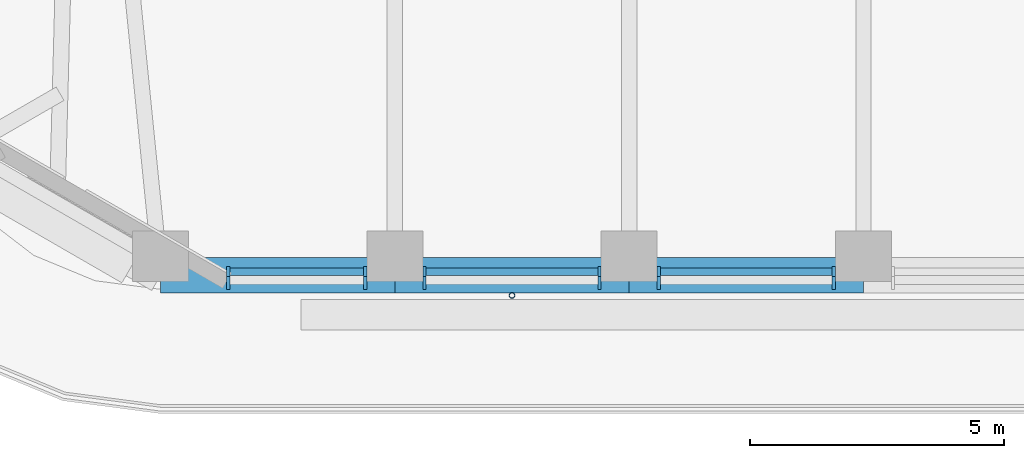
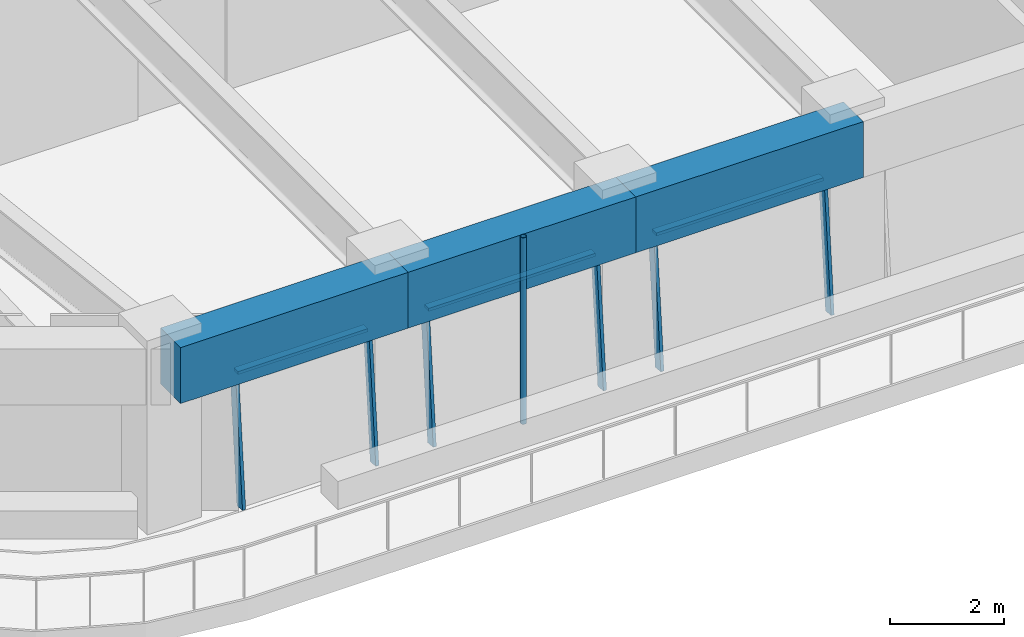
# One storey, part 2 of 20: 10 members, 3 beams, 3 elements without a shape of their own.
"""IFC4 building model written with IfcOpenShell, lengths in metres."""

from ifc_helpers import new_model, si_unit, direction, frame, origin, origin_2d, place, context, subcontext, project, spatial, rectangle, hollow_circle, extrude, material, material_profile, profile_set, type_object, element, aggregate, save


model = new_model("IFC4")

# Units and contexts
model_context = context("Model", 3, precision=1e-05, world=origin(), true_north=direction((0.0, 1.0)))
body_context = subcontext(model_context, "Body", "Model", "MODEL_VIEW")
ifc_project = project(units=[si_unit("LENGTHUNIT", "METRE"), si_unit("AREAUNIT", "SQUARE_METRE"), si_unit("VOLUMEUNIT", "CUBIC_METRE"), si_unit("PLANEANGLEUNIT", "RADIAN"), si_unit("MASSUNIT", "GRAM", prefix="KILO")], contexts=[model_context])

# Site, building, storey
site_placement = place(None, origin())
site = spatial("IfcSite", under=ifc_project, at=site_placement, CompositionType="ELEMENT")
building_placement = place(site_placement, origin())
building = spatial("IfcBuilding", under=site, at=building_placement, Name="Tarfa Lantern Tower", CompositionType="ELEMENT")
storey_placement = place(building_placement, frame((0.0, 0.0, 282.699951171875)))
storey = spatial("IfcBuildingStorey", under=building, at=storey_placement, Name="L64", CompositionType="ELEMENT", Elevation=282.699951171875)

# Curtain wall, members
ifc_material_1 = material(Name="Aluminium framed curtain wall", Category="aluminium")
curtain_wall_type = type_object("IfcCurtainWallType", Name="CW3 CANTED GLAZING HIGH ZONE 2800", PredefinedType="USERDEFINED", material=ifc_material_1)
curtain_wall_1_placement = place(storey_placement, origin())
curtain_wall_1 = element("IfcCurtainWall", 1, at=curtain_wall_1_placement, inside=storey, type_object=curtain_wall_type, Name="CW3 S L64", ObjectType="CURTAIN WALL", PredefinedType="USERDEFINED")
ifc_material_2 = material(Name="Aluminium mullion", Category="aluminium")
ifc_material_profile_1 = material_profile(ifc_material_2, rectangle(XDim=0.06494140625, YDim=0.199951171875, at=origin_2d()), Name="AL MULLION 65x200")
ifc_profile_set_1 = profile_set([ifc_material_profile_1], Name="Aluminium mullion")
member_type_1 = type_object("IfcMemberType", Name="CWM1 MULLION 65x200", PredefinedType="MULLION", material=ifc_profile_set_1)
member_1_placement = place(storey_placement, frame((-12.52392578125, -28.89990234375, 0.0), z_axis=(0.0, 0.088930399417, 0.996037842685), x_axis=(-1.0, 0.0, 0.0)))
member_1 = element("IfcMember", 2, at=member_1_placement, type_object=member_type_1, Name="CW3 mullion 1", PredefinedType="MULLION", context=body_context, shape_type="SweptSolid", body=[
    extrude(rectangle(XDim=0.06494140625, YDim=0.199951171875, at=origin_2d()), origin(), (0.0, 0.0, 1.0), 2.811279296875),
])
member_2_placement = place(storey_placement, frame((-9.820068359375, -28.89990234375, 0.0), z_axis=(0.0, 0.088930399417, 0.996037842685), x_axis=(-1.0, 0.0, 0.0)))
member_2 = element("IfcMember", 3, at=member_2_placement, type_object=member_type_1, Name="CW3 mullion 2", PredefinedType="MULLION", context=body_context, shape_type="SweptSolid", body=[
    extrude(rectangle(XDim=0.06494140625, YDim=0.199951171875, at=origin_2d()), origin(), (0.0, 0.0, 1.0), 2.811279296875),
])

curtain_wall_2_placement = place(storey_placement, origin())
curtain_wall_2 = element("IfcCurtainWall", 4, at=curtain_wall_2_placement, inside=storey, type_object=curtain_wall_type, Name="CW3 S L64", ObjectType="CURTAIN WALL", PredefinedType="USERDEFINED")
member_3_placement = place(storey_placement, frame((-8.655029296875, -28.89990234375, 0.0), z_axis=(0.0, 0.088930399417, 0.996037842685), x_axis=(-1.0, 0.0, 0.0)))
member_3 = element("IfcMember", 5, at=member_3_placement, type_object=member_type_1, Name="CW3 mullion 1", PredefinedType="MULLION", context=body_context, shape_type="SweptSolid", body=[
    extrude(rectangle(XDim=0.06494140625, YDim=0.199951171875, at=origin_2d()), origin(), (0.0, 0.0, 1.0), 2.811279296875),
])
member_4_placement = place(storey_placement, frame((-5.201416015625, -28.89990234375, 0.0), z_axis=(0.0, 0.088930399417, 0.996037842685), x_axis=(-1.0, 0.0, 0.0)))
member_4 = element("IfcMember", 6, at=member_4_placement, type_object=member_type_1, Name="CW3 mullion 2", PredefinedType="MULLION", context=body_context, shape_type="SweptSolid", body=[
    extrude(rectangle(XDim=0.06494140625, YDim=0.199951171875, at=origin_2d()), origin(), (0.0, 0.0, 1.0), 2.811279296875),
])

curtain_wall_3_placement = place(storey_placement, origin())
curtain_wall_3 = element("IfcCurtainWall", 7, at=curtain_wall_3_placement, inside=storey, type_object=curtain_wall_type, Name="CW3 S L64", ObjectType="CURTAIN WALL", PredefinedType="USERDEFINED")
member_5_placement = place(storey_placement, frame((-4.036376953125, -28.89990234375, 0.0), z_axis=(0.0, 0.088930399417, 0.996037842685), x_axis=(-1.0, 0.0, 0.0)))
member_5 = element("IfcMember", 8, at=member_5_placement, type_object=member_type_1, Name="CW3 mullion 1", PredefinedType="MULLION", context=body_context, shape_type="SweptSolid", body=[
    extrude(rectangle(XDim=0.06494140625, YDim=0.199951171875, at=origin_2d()), origin(), (0.0, 0.0, 1.0), 2.811279296875),
])
member_6_placement = place(storey_placement, frame((-0.58251953125, -28.89990234375, 0.0), z_axis=(0.0, 0.088930399417, 0.996037842685), x_axis=(-1.0, 0.0, 0.0)))
member_6 = element("IfcMember", 9, at=member_6_placement, type_object=member_type_1, Name="CW3 mullion 2", PredefinedType="MULLION", context=body_context, shape_type="SweptSolid", body=[
    extrude(rectangle(XDim=0.06494140625, YDim=0.199951171875, at=origin_2d()), origin(), (0.0, 0.0, 1.0), 2.811279296875),
])

# Member
ifc_material_3 = material(Name="Aluminium transom", Category="aluminium")
ifc_material_profile_2 = material_profile(ifc_material_3, rectangle(XDim=0.14990234375, YDim=0.06494140625, at=origin_2d()), Name="AL TRANSOM 150x65")
ifc_profile_set_2 = profile_set([ifc_material_profile_2], Name="Aluminium transom")
member_type_2 = type_object("IfcMemberType", Name="CWT1 TRANSOM 150x65", PredefinedType="USERDEFINED", material=ifc_profile_set_2)
member_7_placement = place(storey_placement, frame((-12.491455078125, -28.65283203125, 2.767578125), z_axis=(1.0, 0.0, 0.0), x_axis=(0.0, 1.0, 0.0)))
member_7 = element("IfcMember", 10, at=member_7_placement, type_object=member_type_2, Name="CW3 transom 1.2", ObjectType="TRANSOM", PredefinedType="USERDEFINED", context=body_context, shape_type="SweptSolid", body=[
    extrude(rectangle(XDim=0.14990234375, YDim=0.06494140625, at=origin_2d()), origin(), (0.0, 0.0, 1.0), 2.638916015625),
])

aggregate(curtain_wall_1, [member_1, member_2, member_7])

member_8_placement = place(storey_placement, frame((-8.62255859375, -28.65283203125, 2.767578125), z_axis=(1.0, 0.0, 0.0), x_axis=(0.0, 1.0, 0.0)))
member_8 = element("IfcMember", 11, at=member_8_placement, type_object=member_type_2, Name="CW3 transom 1.2", ObjectType="TRANSOM", PredefinedType="USERDEFINED", context=body_context, shape_type="SweptSolid", body=[
    extrude(rectangle(XDim=0.14990234375, YDim=0.06494140625, at=origin_2d()), origin(), (0.0, 0.0, 1.0), 3.388671875),
])

aggregate(curtain_wall_2, [member_3, member_4, member_8])

member_9_placement = place(storey_placement, frame((-4.00390625, -28.65283203125, 2.767578125), z_axis=(1.0, 0.0, 0.0), x_axis=(0.0, 1.0, 0.0)))
member_9 = element("IfcMember", 12, at=member_9_placement, type_object=member_type_2, Name="CW3 transom 1.2", ObjectType="TRANSOM", PredefinedType="USERDEFINED", context=body_context, shape_type="SweptSolid", body=[
    extrude(rectangle(XDim=0.14990234375, YDim=0.06494140625, at=origin_2d()), origin(), (0.0, 0.0, 1.0), 3.388916015625),
])

aggregate(curtain_wall_3, [member_5, member_6, member_9])

# Beams
ifc_material_4 = material(Name="Concrete C80/95", Category="concrete")
ifc_material_profile_3 = material_profile(ifc_material_4, rectangle(XDim=0.699951171875, YDim=1.199951171875, at=origin_2d()), Name="RC 700x1200")
ifc_profile_set_3 = profile_set([ifc_material_profile_3], Name="Concrete C80/95")
beam_type = type_object("IfcBeamType", Name="EB3 RC 700x1200", PredefinedType="SPANDREL", material=ifc_profile_set_3)
beam_1_placement = place(storey_placement, frame((-13.8564453125, -28.719970703125, 3.400146484375), z_axis=(1.0, 0.0, 0.0), x_axis=(0.0, 1.0, 0.0)))
element("IfcBeam", 13, at=beam_1_placement, inside=storey, type_object=beam_type, Name="Edge beam S0", PredefinedType="SPANDREL", context=body_context, shape_type="SweptSolid", body=[
    extrude(rectangle(XDim=0.699951171875, YDim=1.199951171875, at=origin_2d()), origin(), (0.0, 0.0, 1.0), 4.618896484375),
])
beam_2_placement = place(storey_placement, frame((-9.237548828125, -28.719970703125, 3.400146484375), z_axis=(1.0, 0.0, 0.0), x_axis=(0.0, 1.0, 0.0)))
element("IfcBeam", 14, at=beam_2_placement, inside=storey, type_object=beam_type, Name="Edge beam S1", PredefinedType="SPANDREL", context=body_context, shape_type="SweptSolid", body=[
    extrude(rectangle(XDim=0.699951171875, YDim=1.199951171875, at=origin_2d()), origin(), (0.0, 0.0, 1.0), 4.61865234375),
])
beam_3_placement = place(storey_placement, frame((-4.618896484375, -28.719970703125, 3.400146484375), z_axis=(1.0, 0.0, 0.0), x_axis=(0.0, 1.0, 0.0)))
element("IfcBeam", 15, at=beam_3_placement, inside=storey, type_object=beam_type, Name="Edge beam S2", PredefinedType="SPANDREL", context=body_context, shape_type="SweptSolid", body=[
    extrude(rectangle(XDim=0.699951171875, YDim=1.199951171875, at=origin_2d()), origin(), (0.0, 0.0, 1.0), 4.618896484375),
])

# Member
ifc_material_5 = material(Name="Steel S355", Category="steel")
ifc_material_profile_4 = material_profile(ifc_material_5, hollow_circle(Radius=0.05712890625, WallThickness=0.00634765625, at=origin_2d()), Name="CHS114.3x6.3")
ifc_profile_set_4 = profile_set([ifc_material_profile_4], Name="Steel S355")
member_type_3 = type_object("IfcMemberType", Name="TR1 GREEN WALL TRELLIS CHS114.3x6.3", PredefinedType="USERDEFINED", material=ifc_profile_set_4)
member_10_placement = place(storey_placement, frame((-6.92822265625, -29.1201171875, 0.0), z_axis=(0.0, 0.0, 1.0), x_axis=(1.0, 0.0, 0.0)))
element("IfcMember", 16, at=member_10_placement, inside=storey, type_object=member_type_3, Name="Trellis post S 1", ObjectType="TRELLIS", PredefinedType="USERDEFINED", context=body_context, shape_type="SweptSolid", body=[
    extrude(hollow_circle(Radius=0.05712890625, WallThickness=0.00634765625, at=origin_2d()), origin(), (0.0, 0.0, 1.0), 4.0),
])

save(model, "model.ifc")
